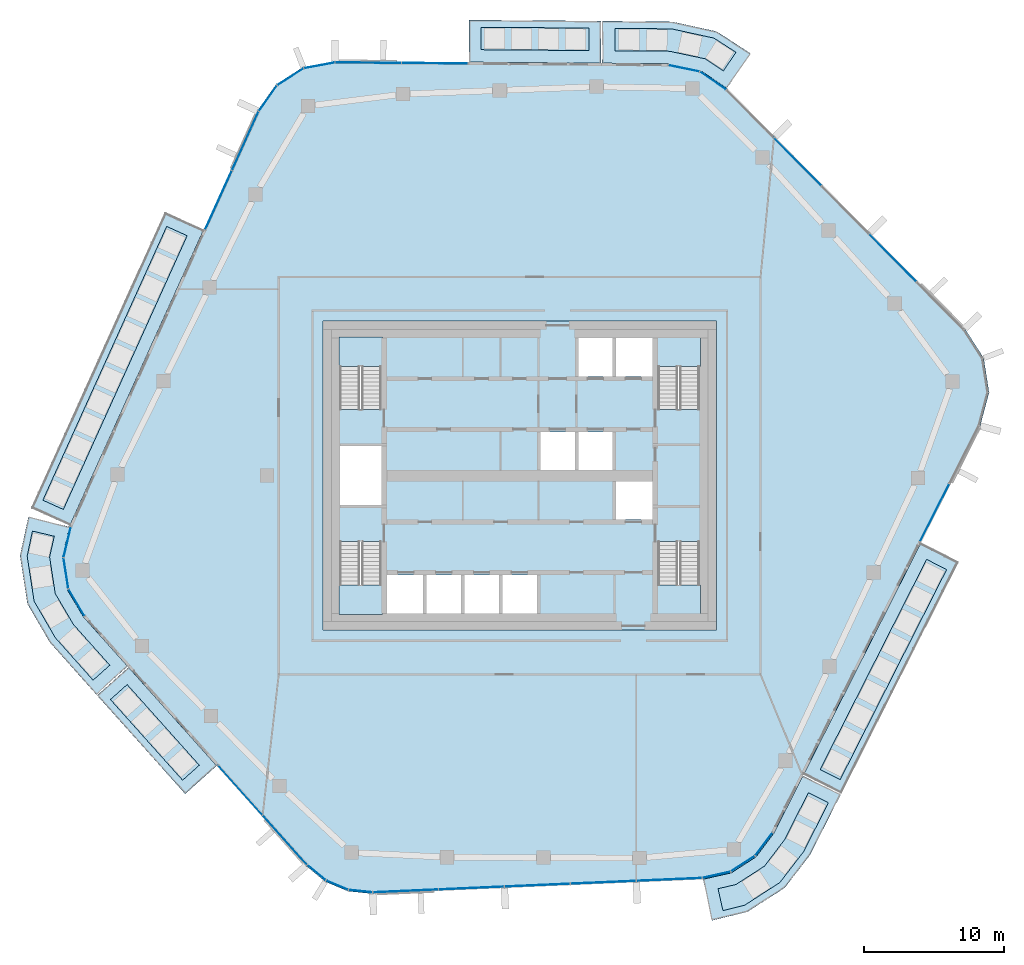
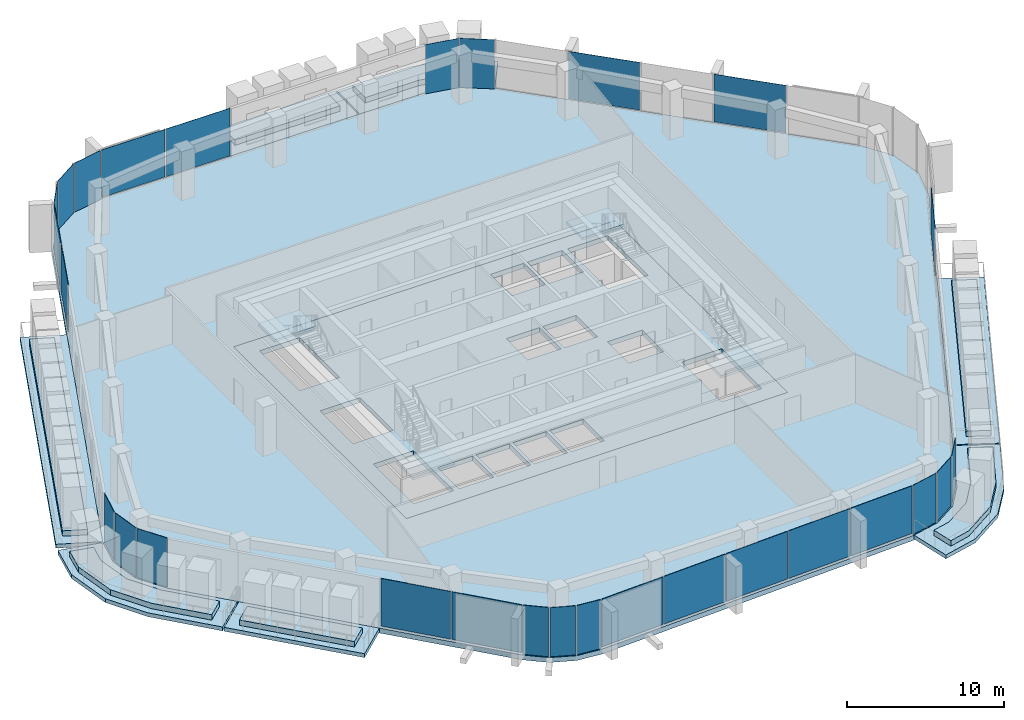
# One storey, part 11 of 23: 28 plates, 20 slabs, 15 elements without a shape of their own.
"""IFC4 building model written with IfcOpenShell, lengths in metres."""

from ifc_helpers import new_model, si_unit, direction, frame, origin, origin_2d, place, context, subcontext, project, spatial, polyline, rectangle, outline, extrude, material, layer, layer_set, type_object, element, aggregate, save


model = new_model("IFC4")

# Units and contexts
model_context = context("Model", 3, precision=1e-05, world=origin(), true_north=direction((0.0, 1.0)))
body_context = subcontext(model_context, "Body", "Model", "MODEL_VIEW")
ifc_project = project(units=[si_unit("LENGTHUNIT", "METRE"), si_unit("AREAUNIT", "SQUARE_METRE"), si_unit("VOLUMEUNIT", "CUBIC_METRE"), si_unit("PLANEANGLEUNIT", "RADIAN"), si_unit("MASSUNIT", "GRAM", prefix="KILO")], contexts=[model_context])

# Site, building, storey
site_placement = place(None, origin())
site = spatial("IfcSite", under=ifc_project, at=site_placement, CompositionType="ELEMENT")
building_placement = place(site_placement, origin())
building = spatial("IfcBuilding", under=site, at=building_placement, Name="Dongbaek Canopy Tower", CompositionType="ELEMENT")
storey_placement = place(building_placement, frame((0.0, 0.0, 323.60009765625)))
storey = spatial("IfcBuildingStorey", under=building, at=storey_placement, Name="L69", CompositionType="ELEMENT", Elevation=323.60009765625)

# Slabs
ifc_material_1 = material(Name="Concrete C40/50", Category="concrete")
ifc_layer_1 = layer(ifc_material_1, 0.300048828125)
ifc_layer_set_1 = layer_set([ifc_layer_1], Name="Balcony slab 300")
slab_type_1 = type_object("IfcSlabType", Name="Balcony slab 300", PredefinedType="FLOOR", material=ifc_layer_set_1)
slab_1_placement = place(storey_placement, frame((0.0, 0.0, -0.300048828125)))
element("IfcSlab", 1, at=slab_1_placement, inside=storey, type_object=slab_type_1, Name="Balcony L69 1", PredefinedType="FLOOR", context=body_context, shape_type="SweptSolid", body=[
    extrude(outline(polyline([(5.77734375, 29.36767578125), (-3.613037109375, 29.440673828125), (-3.58984375, 32.440673828125), (5.80078125, 32.36767578125), (5.77734375, 29.36767578125)])), origin(), (0.0, 0.0, 1.0), 0.300048828125),
])
slab_2_placement = place(storey_placement, frame((0.0, 0.0, -0.300048828125)))
element("IfcSlab", 2, at=slab_2_placement, inside=storey, type_object=slab_type_1, Name="Balcony L69 5", PredefinedType="FLOOR", context=body_context, shape_type="SweptSolid", body=[
    extrude(outline(polyline([(14.750732421875, 27.57763671875), (12.859130859375, 28.8583984375), (10.57275390625, 29.330322265625), (5.87744140625, 29.366943359375), (5.90087890625, 32.366943359375), (10.88916015625, 32.313720703125), (14.025634765625, 31.622314453125), (16.432861328125, 30.061767578125), (14.750732421875, 27.57763671875)])), origin(), (0.0, 0.0, 1.0), 0.300048828125),
])
slab_3_placement = place(storey_placement, frame((0.0, 0.0, -0.300048828125)))
element("IfcSlab", 3, at=slab_3_placement, inside=storey, type_object=slab_type_1, Name="Balcony L69 2", PredefinedType="FLOOR", context=body_context, shape_type="SweptSolid", body=[
    extrude(outline(polyline([(-22.5107421875, 17.49072265625), (-32.026611328125, -3.54736328125), (-34.760009765625, -2.31103515625), (-25.244140625, 18.72705078125), (-22.5107421875, 17.49072265625)])), origin(), (0.0, 0.0, 1.0), 0.300048828125),
])
slab_4_placement = place(storey_placement, frame((0.0, 0.0, -0.300048828125)))
element("IfcSlab", 4, at=slab_4_placement, inside=storey, type_object=slab_type_1, Name="Balcony L69 3", PredefinedType="FLOOR", context=body_context, shape_type="SweptSolid", body=[
    extrude(outline(polyline([(-27.848388671875, -13.645751953125), (-21.575927734375, -20.65478515625), (-23.811279296875, -22.6552734375), (-30.083984375, -15.646484375), (-27.848388671875, -13.645751953125)])), origin(), (0.0, 0.0, 1.0), 0.300048828125),
])
slab_5_placement = place(storey_placement, frame((0.0, 0.0, -0.300048828125)))
element("IfcSlab", 5, at=slab_5_placement, inside=storey, type_object=slab_type_1, Name="Balcony L69 6", PredefinedType="FLOOR", context=body_context, shape_type="SweptSolid", body=[
    extrude(outline(polyline([(-32.05859375, -3.6416015625), (-32.57568359375, -5.82666015625), (-32.226806640625, -8.09521484375), (-31.051513671875, -10.06689453125), (-27.9150390625, -13.5712890625), (-30.150634765625, -15.572021484375), (-33.46875, -11.843505859375), (-35.0498046875, -9.110107421875), (-35.5732421875, -5.70703125), (-34.97802734375, -2.950927734375), (-32.05859375, -3.6416015625)])), origin(), (0.0, 0.0, 1.0), 0.300048828125),
])
slab_6_placement = place(storey_placement, frame((0.0, 0.0, -0.300048828125)))
element("IfcSlab", 6, at=slab_6_placement, inside=storey, type_object=slab_type_1, Name="Balcony L69 4", PredefinedType="FLOOR", context=body_context, shape_type="SweptSolid", body=[
    extrude(outline(polyline([(20.214111328125, -21.2763671875), (28.56201171875, -4.800537109375), (31.238037109375, -6.156494140625), (22.89013671875, -22.63232421875), (20.214111328125, -21.2763671875)])), origin(), (0.0, 0.0, 1.0), 0.300048828125),
])
slab_7_placement = place(storey_placement, frame((0.0, 0.0, -0.300048828125)))
element("IfcSlab", 7, at=slab_7_placement, inside=storey, type_object=slab_type_1, Name="Balcony L69 7", PredefinedType="FLOOR", context=body_context, shape_type="SweptSolid", body=[
    extrude(outline(polyline([(13.05126953125, -28.73388671875), (15.05712890625, -28.285400390625), (16.82666015625, -27.144287109375), (18.09326171875, -25.462158203125), (20.1689453125, -21.365478515625), (22.844970703125, -22.721435546875), (20.639404296875, -27.048583984375), (18.86962890625, -29.34130859375), (16.21533203125, -31.052734375), (13.705810546875, -31.66162109375), (13.05126953125, -28.73388671875)])), origin(), (0.0, 0.0, 1.0), 0.300048828125),
])

# Curtain wall, plates
ifc_material_2 = material(Name="Aluminium 6063-T6 pale anodised", Category="aluminium")
ifc_layer_2 = layer(ifc_material_2, 0.199951171875)
ifc_layer_set_2 = layer_set([ifc_layer_2], Name="CW-1 unitised tower curtain wall")
curtain_wall_type = type_object("IfcCurtainWallType", Name="CW-1 unitised tower curtain wall", PredefinedType="NOTDEFINED", material=ifc_layer_set_2)
curtain_wall_1_placement = place(storey_placement, origin())
curtain_wall_1 = element("IfcCurtainWall", 8, at=curtain_wall_1_placement, inside=storey, type_object=curtain_wall_type, Name="CW-1 curtain wall F0.1", PredefinedType="NOTDEFINED")
ifc_material_3 = material(Name="Clear laminated glass", Category="glass")
ifc_layer_3 = layer(ifc_material_3, 0.028076171875)
ifc_layer_set_3 = layer_set([ifc_layer_3], Name="CW-1 glazed panel 28")
plate_type = type_object("IfcPlateType", Name="CW-1 glazed panel 28", PredefinedType="CURTAIN_PANEL", material=ifc_layer_set_3)
plate_1_placement = place(storey_placement, frame((26.552978515625, 15.5146484375, 0.1201171875), z_axis=(0.0, 0.0, 1.0), x_axis=(-0.703156354287, 0.711035260325, 0.0)))
plate_1 = element("IfcPlate", 9, at=plate_1_placement, type_object=plate_type, Name="CW-1 panel F0.1.2.1", PredefinedType="CURTAIN_PANEL", context=body_context, shape_type="SweptSolid", body=[
    extrude(rectangle(XDim=4.7236328125, YDim=0.028076171875, at=origin_2d()), origin(), (0.0, 0.0, 1.0), 3.699951171875),
])
plate_2_placement = place(storey_placement, frame((19.7919921875, 22.3515625, 0.1201171875), z_axis=(0.0, 0.0, 1.0), x_axis=(-0.703156354287, 0.711035260325, 0.0)))
plate_2 = element("IfcPlate", 10, at=plate_2_placement, type_object=plate_type, Name="CW-1 panel F0.1.4.1", PredefinedType="CURTAIN_PANEL", context=body_context, shape_type="SweptSolid", body=[
    extrude(rectangle(XDim=4.7236328125, YDim=0.028076171875, at=origin_2d()), origin(), (0.0, 0.0, 1.0), 3.699951171875),
])
aggregate(curtain_wall_1, [plate_1, plate_2])

curtain_wall_2_placement = place(storey_placement, origin())
curtain_wall_2 = element("IfcCurtainWall", 11, at=curtain_wall_2_placement, inside=storey, type_object=curtain_wall_type, Name="CW-1 curtain wall K1.1", PredefinedType="NOTDEFINED")
plate_3_placement = place(storey_placement, frame((13.773681640625, 28.118408203125, 0.0), z_axis=(0.0, 0.0, 1.0), x_axis=(-0.828051778261, 0.560651632049, 0.0)))
plate_3 = element("IfcPlate", 12, at=plate_3_placement, type_object=plate_type, Name="CW-1 panel K1.1.1.1", PredefinedType="CURTAIN_PANEL", context=body_context, shape_type="SweptSolid", body=[
    extrude(rectangle(XDim=2.220947265625, YDim=0.028076171875, at=origin_2d()), origin(), (0.0, 0.0, 1.0), 3.820068359375),
])
plate_4_placement = place(storey_placement, frame((11.690673828125, 28.99755859375, 0.0), z_axis=(0.0, 0.0, 1.0), x_axis=(-0.979349311488, 0.2021754834, 0.0)))
plate_4 = element("IfcPlate", 13, at=plate_4_placement, type_object=plate_type, Name="CW-1 panel K1.1.2.1", PredefinedType="CURTAIN_PANEL", context=body_context, shape_type="SweptSolid", body=[
    extrude(rectangle(XDim=2.220947265625, YDim=0.028076171875, at=origin_2d()), origin(), (0.0, 0.0, 1.0), 3.820068359375),
])
aggregate(curtain_wall_2, [plate_3, plate_4])

curtain_wall_3_placement = place(storey_placement, origin())
curtain_wall_3 = element("IfcCurtainWall", 14, at=curtain_wall_3_placement, inside=storey, type_object=curtain_wall_type, Name="CW-1 curtain wall F1.1", PredefinedType="NOTDEFINED")
plate_5_placement = place(storey_placement, frame((-6.03662109375, 29.359619140625, 0.1201171875), z_axis=(0.0, 0.0, 1.0), x_axis=(-0.999969721279, 0.007781807363, 0.0)))
plate_5 = element("IfcPlate", 15, at=plate_5_placement, type_object=plate_type, Name="CW-1 panel F1.1.1.1", PredefinedType="CURTAIN_PANEL", context=body_context, shape_type="SweptSolid", body=[
    extrude(rectangle(XDim=4.661376953125, YDim=0.028076171875, at=origin_2d()), origin(), (0.0, 0.0, 1.0), 3.699951171875),
])
plate_6_placement = place(storey_placement, frame((-10.777099609375, 29.396484375, 0.1201171875), z_axis=(0.0, 0.0, 1.0), x_axis=(-0.999969721279, 0.007781807363, 0.0)))
plate_6 = element("IfcPlate", 16, at=plate_6_placement, type_object=plate_type, Name="CW-1 panel F1.1.2.1", PredefinedType="CURTAIN_PANEL", context=body_context, shape_type="SweptSolid", body=[
    extrude(rectangle(XDim=4.65185546875, YDim=0.028076171875, at=origin_2d()), origin(), (0.0, 0.0, 1.0), 3.699951171875),
])
aggregate(curtain_wall_3, [plate_5, plate_6])

curtain_wall_4_placement = place(storey_placement, origin())
curtain_wall_4 = element("IfcCurtainWall", 17, at=curtain_wall_4_placement, inside=storey, type_object=curtain_wall_type, Name="CW-1 curtain wall K2.1", PredefinedType="NOTDEFINED")
plate_7_placement = place(storey_placement, frame((-14.2578125, 29.207275390625, 0.0), z_axis=(0.0, 0.0, 1.0), x_axis=(-0.983024896136, -0.183472214729, 0.0)))
plate_7 = element("IfcPlate", 18, at=plate_7_placement, type_object=plate_type, Name="CW-1 panel K2.1.1.1", PredefinedType="CURTAIN_PANEL", context=body_context, shape_type="SweptSolid", body=[
    extrude(rectangle(XDim=2.18017578125, YDim=0.028076171875, at=origin_2d()), origin(), (0.0, 0.0, 1.0), 3.820068359375),
])
plate_8_placement = place(storey_placement, frame((-16.3203125, 28.39208984375, 0.0), z_axis=(0.0, 0.0, 1.0), x_axis=(-0.842377584823, -0.538887747668, 0.0)))
plate_8 = element("IfcPlate", 19, at=plate_8_placement, type_object=plate_type, Name="CW-1 panel K2.1.2.1", PredefinedType="CURTAIN_PANEL", context=body_context, shape_type="SweptSolid", body=[
    extrude(rectangle(XDim=2.17041015625, YDim=0.028076171875, at=origin_2d()), origin(), (0.0, 0.0, 1.0), 3.820068359375),
])
plate_9_placement = place(storey_placement, frame((-17.9248046875, 26.861328125, 0.0), z_axis=(0.0, 0.0, 1.0), x_axis=(-0.578657335452, -0.815570774444, 0.0)))
plate_9 = element("IfcPlate", 20, at=plate_9_placement, type_object=plate_type, Name="CW-1 panel K2.1.3.1", PredefinedType="CURTAIN_PANEL", context=body_context, shape_type="SweptSolid", body=[
    extrude(rectangle(XDim=2.18017578125, YDim=0.028076171875, at=origin_2d()), origin(), (0.0, 0.0, 1.0), 3.820068359375),
])
aggregate(curtain_wall_4, [plate_7, plate_8, plate_9])

curtain_wall_5_placement = place(storey_placement, origin())
curtain_wall_5 = element("IfcCurtainWall", 21, at=curtain_wall_5_placement, inside=storey, type_object=curtain_wall_type, Name="CW-1 curtain wall F2.1", PredefinedType="NOTDEFINED")
plate_10_placement = place(storey_placement, frame((-19.53369140625, 23.829345703125, 0.1201171875), z_axis=(0.0, 0.0, 1.0), x_axis=(-0.412122242389, -0.911128562459, 0.0)))
plate_10 = element("IfcPlate", 22, at=plate_10_placement, type_object=plate_type, Name="CW-1 panel F2.1.1.1", PredefinedType="CURTAIN_PANEL", context=body_context, shape_type="SweptSolid", body=[
    extrude(rectangle(XDim=4.54443359375, YDim=0.028076171875, at=origin_2d()), origin(), (0.0, 0.0, 1.0), 3.699951171875),
])
plate_11_placement = place(storey_placement, frame((-21.443115234375, 19.60791015625, 0.1201171875), z_axis=(0.0, 0.0, 1.0), x_axis=(-0.412122242389, -0.911128562459, 0.0)))
plate_11 = element("IfcPlate", 23, at=plate_11_placement, type_object=plate_type, Name="CW-1 panel F2.1.2.1", PredefinedType="CURTAIN_PANEL", context=body_context, shape_type="SweptSolid", body=[
    extrude(rectangle(XDim=4.553955078125, YDim=0.028076171875, at=origin_2d()), origin(), (0.0, 0.0, 1.0), 3.699951171875),
])
aggregate(curtain_wall_5, [plate_10, plate_11])

curtain_wall_6_placement = place(storey_placement, origin())
curtain_wall_6 = element("IfcCurtainWall", 24, at=curtain_wall_6_placement, inside=storey, type_object=curtain_wall_type, Name="CW-1 curtain wall K3.1", PredefinedType="NOTDEFINED")
plate_12_placement = place(storey_placement, frame((-32.212890625, -4.72802734375, 0.0), z_axis=(0.0, 0.0, 1.0), x_axis=(-0.2302319643, -0.973135778098, 0.0)))
plate_12 = element("IfcPlate", 25, at=plate_12_placement, type_object=plate_type, Name="CW-1 panel K3.1.1.1", PredefinedType="CURTAIN_PANEL", context=body_context, shape_type="SweptSolid", body=[
    extrude(rectangle(XDim=2.18212890625, YDim=0.028076171875, at=origin_2d()), origin(), (0.0, 0.0, 1.0), 3.820068359375),
])
plate_13_placement = place(storey_placement, frame((-32.30224609375, -6.94580078125, 0.0), z_axis=(0.0, 0.0, 1.0), x_axis=(0.152024279653, -0.988376759336, 0.0)))
plate_13 = element("IfcPlate", 26, at=plate_13_placement, type_object=plate_type, Name="CW-1 panel K3.1.2.1", PredefinedType="CURTAIN_PANEL", context=body_context, shape_type="SweptSolid", body=[
    extrude(rectangle(XDim=2.17236328125, YDim=0.028076171875, at=origin_2d()), origin(), (0.0, 0.0, 1.0), 3.820068359375),
])
plate_14_placement = place(storey_placement, frame((-31.550537109375, -9.0341796875, 0.0), z_axis=(0.0, 0.0, 1.0), x_axis=(0.512031447433, -0.858966702987, 0.0)))
plate_14 = element("IfcPlate", 27, at=plate_14_placement, type_object=plate_type, Name="CW-1 panel K3.1.3.1", PredefinedType="CURTAIN_PANEL", context=body_context, shape_type="SweptSolid", body=[
    extrude(rectangle(XDim=2.18212890625, YDim=0.028076171875, at=origin_2d()), origin(), (0.0, 0.0, 1.0), 3.820068359375),
])
aggregate(curtain_wall_6, [plate_12, plate_13, plate_14])

curtain_wall_7_placement = place(storey_placement, origin())
curtain_wall_7 = element("IfcCurtainWall", 28, at=curtain_wall_7_placement, inside=storey, type_object=curtain_wall_type, Name="CW-1 curtain wall F3.1", PredefinedType="NOTDEFINED")
plate_15_placement = place(storey_placement, frame((-19.88330078125, -22.396240234375, 0.1201171875), z_axis=(0.0, 0.0, 1.0), x_axis=(0.666880185022, -0.745164960814, 0.0)))
plate_15 = element("IfcPlate", 29, at=plate_15_placement, type_object=plate_type, Name="CW-1 panel F3.1.1.1", PredefinedType="CURTAIN_PANEL", context=body_context, shape_type="SweptSolid", body=[
    extrude(rectangle(XDim=4.6689453125, YDim=0.028076171875, at=origin_2d()), origin(), (0.0, 0.0, 1.0), 3.699951171875),
])
plate_16_placement = place(storey_placement, frame((-16.716064453125, -25.93505859375, 0.1201171875), z_axis=(0.0, 0.0, 1.0), x_axis=(0.666880185022, -0.745164960814, 0.0)))
plate_16 = element("IfcPlate", 30, at=plate_16_placement, type_object=plate_type, Name="CW-1 panel F3.1.2.1", PredefinedType="CURTAIN_PANEL", context=body_context, shape_type="SweptSolid", body=[
    extrude(rectangle(XDim=4.66162109375, YDim=0.028076171875, at=origin_2d()), origin(), (0.0, 0.0, 1.0), 3.699951171875),
])
aggregate(curtain_wall_7, [plate_15, plate_16])

curtain_wall_8_placement = place(storey_placement, origin())
curtain_wall_8 = element("IfcCurtainWall", 31, at=curtain_wall_8_placement, inside=storey, type_object=curtain_wall_type, Name="CW-1 curtain wall K4.1", PredefinedType="NOTDEFINED")
plate_17_placement = place(storey_placement, frame((-14.464599609375, -28.25927734375, 0.0), z_axis=(0.0, 0.0, 1.0), x_axis=(0.769085282662, -0.63914617107, 0.0)))
plate_17 = element("IfcPlate", 32, at=plate_17_placement, type_object=plate_type, Name="CW-1 panel K4.1.1.1", PredefinedType="CURTAIN_PANEL", context=body_context, shape_type="SweptSolid", body=[
    extrude(rectangle(XDim=1.656005859375, YDim=0.028076171875, at=origin_2d()), origin(), (0.0, 0.0, 1.0), 3.820068359375),
])
plate_18_placement = place(storey_placement, frame((-12.9970703125, -29.151611328125, 0.0), z_axis=(0.0, 0.0, 1.0), x_axis=(0.92160591426, -0.388126962219, 0.0)))
plate_18 = element("IfcPlate", 33, at=plate_18_placement, type_object=plate_type, Name="CW-1 panel K4.1.2.1", PredefinedType="CURTAIN_PANEL", context=body_context, shape_type="SweptSolid", body=[
    extrude(rectangle(XDim=1.648681640625, YDim=0.028076171875, at=origin_2d()), origin(), (0.0, 0.0, 1.0), 3.820068359375),
])
plate_19_placement = place(storey_placement, frame((-11.333251953125, -29.578125, 0.0), z_axis=(0.0, 0.0, 1.0), x_axis=(0.994616667146, -0.103622803641, 0.0)))
plate_19 = element("IfcPlate", 34, at=plate_19_placement, type_object=plate_type, Name="CW-1 panel K4.1.3.1", PredefinedType="CURTAIN_PANEL", context=body_context, shape_type="SweptSolid", body=[
    extrude(rectangle(XDim=1.656005859375, YDim=0.028076171875, at=origin_2d()), origin(), (0.0, 0.0, 1.0), 3.820068359375),
])
aggregate(curtain_wall_8, [plate_17, plate_18, plate_19])

curtain_wall_9_placement = place(storey_placement, origin())
curtain_wall_9 = element("IfcCurtainWall", 35, at=curtain_wall_9_placement, inside=storey, type_object=curtain_wall_type, Name="CW-1 curtain wall F4.1", PredefinedType="NOTDEFINED")
plate_20_placement = place(storey_placement, frame((-8.124267578125, -29.56591796875, 0.1201171875), z_axis=(0.0, 0.0, 1.0), x_axis=(0.999050304484, 0.04357165489, 0.0)))
plate_20 = element("IfcPlate", 36, at=plate_20_placement, type_object=plate_type, Name="CW-1 panel F4.1.1.1", PredefinedType="CURTAIN_PANEL", context=body_context, shape_type="SweptSolid", body=[
    extrude(rectangle(XDim=4.607666015625, YDim=0.028076171875, at=origin_2d()), origin(), (0.0, 0.0, 1.0), 3.699951171875),
])
plate_21_placement = place(storey_placement, frame((-3.433349609375, -29.361328125, 0.1201171875), z_axis=(0.0, 0.0, 1.0), x_axis=(0.999050304484, 0.04357165489, 0.0)))
plate_21 = element("IfcPlate", 37, at=plate_21_placement, type_object=plate_type, Name="CW-1 panel F4.1.2.1", PredefinedType="CURTAIN_PANEL", context=body_context, shape_type="SweptSolid", body=[
    extrude(rectangle(XDim=4.615234375, YDim=0.028076171875, at=origin_2d()), origin(), (0.0, 0.0, 1.0), 3.699951171875),
])
plate_22_placement = place(storey_placement, frame((1.261474609375, -29.15673828125, 0.1201171875), z_axis=(0.0, 0.0, 1.0), x_axis=(0.999050304484, 0.04357165489, 0.0)))
plate_22 = element("IfcPlate", 38, at=plate_22_placement, type_object=plate_type, Name="CW-1 panel F4.1.3.1", PredefinedType="CURTAIN_PANEL", context=body_context, shape_type="SweptSolid", body=[
    extrude(rectangle(XDim=4.615234375, YDim=0.028076171875, at=origin_2d()), origin(), (0.0, 0.0, 1.0), 3.699951171875),
])
plate_23_placement = place(storey_placement, frame((5.9560546875, -28.951904296875, 0.1201171875), z_axis=(0.0, 0.0, 1.0), x_axis=(0.999050304484, 0.04357165489, 0.0)))
plate_23 = element("IfcPlate", 39, at=plate_23_placement, type_object=plate_type, Name="CW-1 panel F4.1.4.1", PredefinedType="CURTAIN_PANEL", context=body_context, shape_type="SweptSolid", body=[
    extrude(rectangle(XDim=4.615234375, YDim=0.028076171875, at=origin_2d()), origin(), (0.0, 0.0, 1.0), 3.699951171875),
])
plate_24_placement = place(storey_placement, frame((10.646240234375, -28.747314453125, 0.1201171875), z_axis=(0.0, 0.0, 1.0), x_axis=(0.999050304484, 0.04357165489, 0.0)))
plate_24 = element("IfcPlate", 40, at=plate_24_placement, type_object=plate_type, Name="CW-1 panel F4.1.5.1", PredefinedType="CURTAIN_PANEL", context=body_context, shape_type="SweptSolid", body=[
    extrude(rectangle(XDim=4.606201171875, YDim=0.028076171875, at=origin_2d()), origin(), (0.0, 0.0, 1.0), 3.699951171875),
])
aggregate(curtain_wall_9, [plate_20, plate_21, plate_22, plate_23, plate_24])

curtain_wall_10_placement = place(storey_placement, origin())
curtain_wall_10 = element("IfcCurtainWall", 41, at=curtain_wall_10_placement, inside=storey, type_object=curtain_wall_type, Name="CW-1 curtain wall K5.1", PredefinedType="NOTDEFINED")
plate_25_placement = place(storey_placement, frame((14.003662109375, -28.41845703125, 0.0), z_axis=(0.0, 0.0, 1.0), x_axis=(0.975906502636, 0.218189133811, 0.0)))
plate_25 = element("IfcPlate", 42, at=plate_25_placement, type_object=plate_type, Name="CW-1 panel K5.1.1.1", PredefinedType="CURTAIN_PANEL", context=body_context, shape_type="SweptSolid", body=[
    extrude(rectangle(XDim=1.994873046875, YDim=0.028076171875, at=origin_2d()), origin(), (0.0, 0.0, 1.0), 3.820068359375),
])
plate_26_placement = place(storey_placement, frame((15.8876953125, -27.630859375, 0.0), z_axis=(0.0, 0.0, 1.0), x_axis=(0.840438394843, 0.541907099486, 0.0)))
plate_26 = element("IfcPlate", 43, at=plate_26_placement, type_object=plate_type, Name="CW-1 panel K5.1.2.1", PredefinedType="CURTAIN_PANEL", context=body_context, shape_type="SweptSolid", body=[
    extrude(rectangle(XDim=1.98583984375, YDim=0.028076171875, at=origin_2d()), origin(), (0.0, 0.0, 1.0), 3.820068359375),
])
plate_27_placement = place(storey_placement, frame((17.3828125, -26.239501953125, 0.0), z_axis=(0.0, 0.0, 1.0), x_axis=(0.60147456013, 0.798891953593, 0.0)))
plate_27 = element("IfcPlate", 44, at=plate_27_placement, type_object=plate_type, Name="CW-1 panel K5.1.3.1", PredefinedType="CURTAIN_PANEL", context=body_context, shape_type="SweptSolid", body=[
    extrude(rectangle(XDim=1.994873046875, YDim=0.028076171875, at=origin_2d()), origin(), (0.0, 0.0, 1.0), 3.820068359375),
])
aggregate(curtain_wall_10, [plate_25, plate_26, plate_27])

# Curtain wall, plate
curtain_wall_11_placement = place(storey_placement, origin())
curtain_wall_11 = element("IfcCurtainWall", 45, at=curtain_wall_11_placement, inside=storey, type_object=curtain_wall_type, Name="CW-1 curtain wall F5.1", PredefinedType="NOTDEFINED")
plate_28_placement = place(storey_placement, frame((29.54443359375, -2.64013671875, 0.1201171875), z_axis=(0.0, 0.0, 1.0), x_axis=(0.451969985266, 0.892033145359, 0.0)))
plate_28 = element("IfcPlate", 46, at=plate_28_placement, type_object=plate_type, Name="CW-1 panel F5.1.1.1", PredefinedType="CURTAIN_PANEL", context=body_context, shape_type="SweptSolid", body=[
    extrude(rectangle(XDim=4.55859375, YDim=0.028076171875, at=origin_2d()), origin(), (0.0, 0.0, 1.0), 3.699951171875),
])
aggregate(curtain_wall_11, [plate_28])

# Slab
ifc_material_4 = material(Name="Concrete C40/50", Category="concrete")
ifc_layer_4 = layer(ifc_material_4, 0.3798828125)
ifc_layer_set_4 = layer_set([ifc_layer_4], Name="Core floor slab 380 Concrete C40/50")
slab_type_2 = type_object("IfcSlabType", Name="Core floor slab 380 Concrete C40/50", PredefinedType="FLOOR", material=ifc_layer_set_4)
slab_8_placement = place(storey_placement, frame((0.0, 0.0, -0.380126953125)))
element("IfcSlab", 47, at=slab_8_placement, inside=storey, type_object=slab_type_2, Name="Core floor slab L69", PredefinedType="FLOOR", context=body_context, shape_type="SweptSolid", body=[
    extrude(outline(polyline([(14.0, -11.0), (14.0, 11.0), (-14.0, 11.0), (-14.0, -11.0), (14.0, -11.0)]), holes=[polyline([(-12.800048828125, 2.10009765625), (-9.85009765625, 2.10009765625), (-9.85009765625, -2.10009765625), (-12.800048828125, -2.10009765625), (-12.800048828125, 2.10009765625)]), polyline([(6.625, 9.800048828125), (6.625, 7.074951171875), (4.175048828125, 7.074951171875), (4.175048828125, 9.800048828125), (6.625, 9.800048828125)]), polyline([(9.449951171875, 7.074951171875), (6.875, 7.074951171875), (6.875, 9.800048828125), (9.449951171875, 9.800048828125), (9.449951171875, 7.074951171875)]), polyline([(1.47509765625, 0.39990234375), (1.47509765625, 3.125), (3.925048828125, 3.125), (3.925048828125, 0.39990234375), (1.47509765625, 0.39990234375)]), polyline([(4.175048828125, 0.39990234375), (4.175048828125, 3.125), (6.625, 3.125), (6.625, 0.39990234375), (4.175048828125, 0.39990234375)]), polyline([(9.449951171875, -3.125), (6.875, -3.125), (6.875, -0.39990234375), (9.449951171875, -0.39990234375), (9.449951171875, -3.125)]), polyline([(-9.449951171875, -7.074951171875), (-6.875, -7.074951171875), (-6.875, -9.800048828125), (-9.449951171875, -9.800048828125), (-9.449951171875, -7.074951171875)]), polyline([(-6.625, -9.800048828125), (-6.625, -7.074951171875), (-4.175048828125, -7.074951171875), (-4.175048828125, -9.800048828125), (-6.625, -9.800048828125)]), polyline([(-3.925048828125, -9.800048828125), (-3.925048828125, -7.074951171875), (-1.47509765625, -7.074951171875), (-1.47509765625, -9.800048828125), (-3.925048828125, -9.800048828125)]), polyline([(-1.22509765625, -9.800048828125), (-1.22509765625, -7.074951171875), (1.22509765625, -7.074951171875), (1.22509765625, -9.800048828125), (-1.22509765625, -9.800048828125)]), polyline([(12.800048828125, 4.70068359375), (12.800048828125, 9.800048828125), (9.85009765625, 9.800048828125), (9.85009765625, 4.70068359375), (12.800048828125, 4.70068359375)]), polyline([(-9.85009765625, 4.70068359375), (-9.85009765625, 9.800048828125), (-12.800048828125, 9.800048828125), (-12.800048828125, 4.70068359375), (-9.85009765625, 4.70068359375)]), polyline([(9.85009765625, -4.70068359375), (9.85009765625, -9.800048828125), (12.800048828125, -9.800048828125), (12.800048828125, -4.70068359375), (9.85009765625, -4.70068359375)]), polyline([(-12.800048828125, -4.70068359375), (-12.800048828125, -9.800048828125), (-9.85009765625, -9.800048828125), (-9.85009765625, -4.70068359375), (-12.800048828125, -4.70068359375)])]), origin(), (0.0, 0.0, 1.0), 0.380126953125),
])

# Stair, slab
ifc_material_5 = material(Name="Concrete C40/50", Category="concrete")
stair_type = type_object("IfcStairType", Name="Core exit stair", PredefinedType="HALF_TURN_STAIR", material=ifc_material_5)
stair_1_placement = place(storey_placement, origin())
stair_1 = element("IfcStair", 48, at=stair_1_placement, inside=storey, type_object=stair_type, Name="L69 exit stair A", PredefinedType="HALF_TURN_STAIR")
ifc_material_6 = material(Name="Concrete C40/50", Category="concrete")
ifc_layer_5 = layer(ifc_material_6, 0.199951171875)
ifc_layer_set_5 = layer_set([ifc_layer_5], Name="Core stair landing 200")
slab_type_3 = type_object("IfcSlabType", Name="Core stair landing 200", PredefinedType="LANDING", material=ifc_layer_set_5)
slab_9_placement = place(storey_placement, frame((0.0, 0.0, 1.89990234375)))
slab_9 = element("IfcSlab", 49, at=slab_9_placement, type_object=slab_type_3, Name="ST-A landing 1", PredefinedType="LANDING", context=body_context, shape_type="SweptSolid", body=[
    extrude(outline(polyline([(12.875, 7.780029296875), (12.875, 9.875), (9.77490234375, 9.875), (9.77490234375, 7.780029296875), (12.875, 7.780029296875)])), origin(), (0.0, 0.0, 1.0), 0.199951171875),
])
aggregate(stair_1, [slab_9])

stair_2_placement = place(storey_placement, origin())
stair_2 = element("IfcStair", 50, at=stair_2_placement, inside=storey, type_object=stair_type, Name="L69 exit stair C", PredefinedType="HALF_TURN_STAIR")
slab_10_placement = place(storey_placement, frame((0.0, 0.0, 1.89990234375)))
slab_10 = element("IfcSlab", 51, at=slab_10_placement, type_object=slab_type_3, Name="ST-C landing 1", PredefinedType="LANDING", context=body_context, shape_type="SweptSolid", body=[
    extrude(outline(polyline([(-9.77490234375, 7.780029296875), (-9.77490234375, 9.875), (-12.875, 9.875), (-12.875, 7.780029296875), (-9.77490234375, 7.780029296875)])), origin(), (0.0, 0.0, 1.0), 0.199951171875),
])
aggregate(stair_2, [slab_10])

stair_3_placement = place(storey_placement, origin())
stair_3 = element("IfcStair", 52, at=stair_3_placement, inside=storey, type_object=stair_type, Name="L69 exit stair B", PredefinedType="HALF_TURN_STAIR")
slab_11_placement = place(storey_placement, frame((0.0, 0.0, 1.89990234375)))
slab_11 = element("IfcSlab", 53, at=slab_11_placement, type_object=slab_type_3, Name="ST-B landing 1", PredefinedType="LANDING", context=body_context, shape_type="SweptSolid", body=[
    extrude(outline(polyline([(9.77490234375, -7.780029296875), (9.77490234375, -9.875), (12.875, -9.875), (12.875, -7.780029296875), (9.77490234375, -7.780029296875)])), origin(), (0.0, 0.0, 1.0), 0.199951171875),
])
aggregate(stair_3, [slab_11])

stair_4_placement = place(storey_placement, origin())
stair_4 = element("IfcStair", 54, at=stair_4_placement, inside=storey, type_object=stair_type, Name="L69 exit stair D", PredefinedType="HALF_TURN_STAIR")
slab_12_placement = place(storey_placement, frame((0.0, 0.0, 1.89990234375)))
slab_12 = element("IfcSlab", 55, at=slab_12_placement, type_object=slab_type_3, Name="ST-D landing 1", PredefinedType="LANDING", context=body_context, shape_type="SweptSolid", body=[
    extrude(outline(polyline([(-12.875, -7.780029296875), (-12.875, -9.875), (-9.77490234375, -9.875), (-9.77490234375, -7.780029296875), (-12.875, -7.780029296875)])), origin(), (0.0, 0.0, 1.0), 0.199951171875),
])
aggregate(stair_4, [slab_12])

# Slabs
ifc_material_7 = material(Name="Concrete C40", Category="concrete")
ifc_layer_6 = layer(ifc_material_7, 0.3798828125)
ifc_layer_set_6 = layer_set([ifc_layer_6], Name="RC FLAT PLATE 380 Concrete C40")
slab_type_4 = type_object("IfcSlabType", Name="RC FLAT PLATE 380 Concrete C40", PredefinedType="FLOOR", material=ifc_layer_set_6)
slab_13_placement = place(storey_placement, frame((0.0, 0.0, -0.380126953125)))
element("IfcSlab", 56, at=slab_13_placement, inside=storey, type_object=slab_type_4, Name="SLAB:L69", PredefinedType="FLOOR", context=body_context, shape_type="SweptSolid", body=[
    extrude(outline(polyline([(18.09326171875, -25.462158203125), (16.826904296875, -27.144287109375), (15.05712890625, -28.285400390625), (13.00244140625, -28.74462890625), (-10.470947265625, -29.768310546875), (-12.2236328125, -29.585693359375), (-13.847900390625, -28.90185546875), (-15.203369140625, -27.775390625), (-31.051513671875, -10.06689453125), (-32.226806640625, -8.09521484375), (-32.57568359375, -5.82666015625), (-32.047119140625, -3.593017578125), (-18.667236328125, 25.98779296875), (-17.340087890625, 27.8583984375), (-15.408203125, 29.09423828125), (-13.15380859375, 29.514892578125), (10.57275390625, 29.330322265625), (12.859130859375, 28.8583984375), (14.792236328125, 27.549560546875), (31.695068359375, 10.457275390625), (33.03662109375, 8.3720703125), (33.42041015625, 5.92236328125), (32.781005859375, 3.526611328125), (18.09326171875, -25.462158203125)]), holes=[polyline([(14.0, 11.0), (-14.0, 11.0), (-14.0, -11.0), (14.0, -11.0), (14.0, 11.0)])]), origin(), (0.0, 0.0, 1.0), 0.380126953125),
])
ifc_material_8 = material(Name="Reinforced concrete C40/50 planter box with soil", Category="concrete")
ifc_layer_7 = layer(ifc_material_8, 0.419921875)
ifc_layer_set_7 = layer_set([ifc_layer_7], Name="Terrace planter box 1600 x 420")
slab_type_5 = type_object("IfcSlabType", Name="Terrace planter box 1600 x 420", PredefinedType="USERDEFINED", material=ifc_layer_set_7)
slab_14_placement = place(storey_placement, origin())
element("IfcSlab", 57, at=slab_14_placement, inside=storey, type_object=slab_type_5, Name="Balcony planter L69 1", ObjectType="PLANTER", PredefinedType="USERDEFINED", context=body_context, shape_type="SweptSolid", body=[
    extrude(outline(polyline([(4.934326171875, 30.264404296875), (-2.75634765625, 30.32421875), (-2.743896484375, 31.924072265625), (4.94677734375, 31.8642578125), (4.934326171875, 30.264404296875)])), origin(), (0.0, 0.0, 1.0), 0.419921875),
])
slab_15_placement = place(storey_placement, origin())
element("IfcSlab", 58, at=slab_15_placement, inside=storey, type_object=slab_type_5, Name="Balcony planter L69 5", ObjectType="PLANTER", PredefinedType="USERDEFINED", context=body_context, shape_type="SweptSolid", body=[
    extrude(outline(polyline([(14.504638671875, 28.819091796875), (13.205078125, 29.678466796875), (10.66650390625, 30.21533203125), (6.784423828125, 30.25), (6.796875, 31.849853515625), (10.83544921875, 31.806396484375), (13.827392578125, 31.15234375), (15.401611328125, 30.14404296875), (14.504638671875, 28.819091796875)])), origin(), (0.0, 0.0, 1.0), 0.419921875),
])
slab_16_placement = place(storey_placement, origin())
element("IfcSlab", 59, at=slab_16_placement, inside=storey, type_object=slab_type_5, Name="Balcony planter L69 2", ObjectType="PLANTER", PredefinedType="USERDEFINED", context=body_context, shape_type="SweptSolid", body=[
    extrude(outline(polyline([(-23.671875, 17.0830078125), (-32.487060546875, -2.406005859375), (-33.945068359375, -1.74658203125), (-25.129638671875, 17.742431640625), (-23.671875, 17.0830078125)])), origin(), (0.0, 0.0, 1.0), 0.419921875),
])
slab_17_placement = place(storey_placement, origin())
element("IfcSlab", 60, at=slab_17_placement, inside=storey, type_object=slab_type_5, Name="Balcony planter L69 3", ObjectType="PLANTER", PredefinedType="USERDEFINED", context=body_context, shape_type="SweptSolid", body=[
    extrude(outline(polyline([(-27.94482421875, -14.872802734375), (-22.805908203125, -20.614990234375), (-23.998291015625, -21.681884765625), (-29.136962890625, -15.939697265625), (-27.94482421875, -14.872802734375)])), origin(), (0.0, 0.0, 1.0), 0.419921875),
])
slab_18_placement = place(storey_placement, origin())
element("IfcSlab", 61, at=slab_18_placement, inside=storey, type_object=slab_type_5, Name="Balcony planter L69 6", ObjectType="PLANTER", PredefinedType="USERDEFINED", context=body_context, shape_type="SweptSolid", body=[
    extrude(outline(polyline([(-33.132080078125, -4.3125), (-33.46484375, -5.791015625), (-33.064208984375, -8.396240234375), (-31.7685546875, -10.593994140625), (-29.178466796875, -13.494140625), (-30.370849609375, -14.561279296875), (-33.057861328125, -11.54150390625), (-34.56982421875, -8.9375), (-35.063720703125, -5.727294921875), (-34.68896484375, -3.944091796875), (-33.132080078125, -4.3125)])), origin(), (0.0, 0.0, 1.0), 0.419921875),
])
slab_19_placement = place(storey_placement, origin())
element("IfcSlab", 62, at=slab_19_placement, inside=storey, type_object=slab_type_5, Name="Balcony planter L69 4", ObjectType="PLANTER", PredefinedType="USERDEFINED", context=body_context, shape_type="SweptSolid", body=[
    extrude(outline(polyline([(21.39208984375, -20.92041015625), (28.9716796875, -5.9609375), (30.39892578125, -6.684326171875), (22.8193359375, -21.6435546875), (21.39208984375, -20.92041015625)])), origin(), (0.0, 0.0, 1.0), 0.419921875),
])
slab_20_placement = place(storey_placement, origin())
element("IfcSlab", 63, at=slab_20_placement, inside=storey, type_object=slab_type_5, Name="Balcony planter L69 7", ObjectType="PLANTER", PredefinedType="USERDEFINED", context=body_context, shape_type="SweptSolid", body=[
    extrude(outline(polyline([(14.123779296875, -29.406005859375), (15.40087890625, -29.106201171875), (17.432861328125, -27.796142578125), (18.8486328125, -25.932861328125), (20.555908203125, -22.570556640625), (21.983154296875, -23.293701171875), (20.20654296875, -26.77880859375), (18.5224609375, -28.9677734375), (16.0185546875, -30.582275390625), (14.472900390625, -30.967529296875), (14.123779296875, -29.406005859375)])), origin(), (0.0, 0.0, 1.0), 0.419921875),
])

save(model, "model.ifc")
